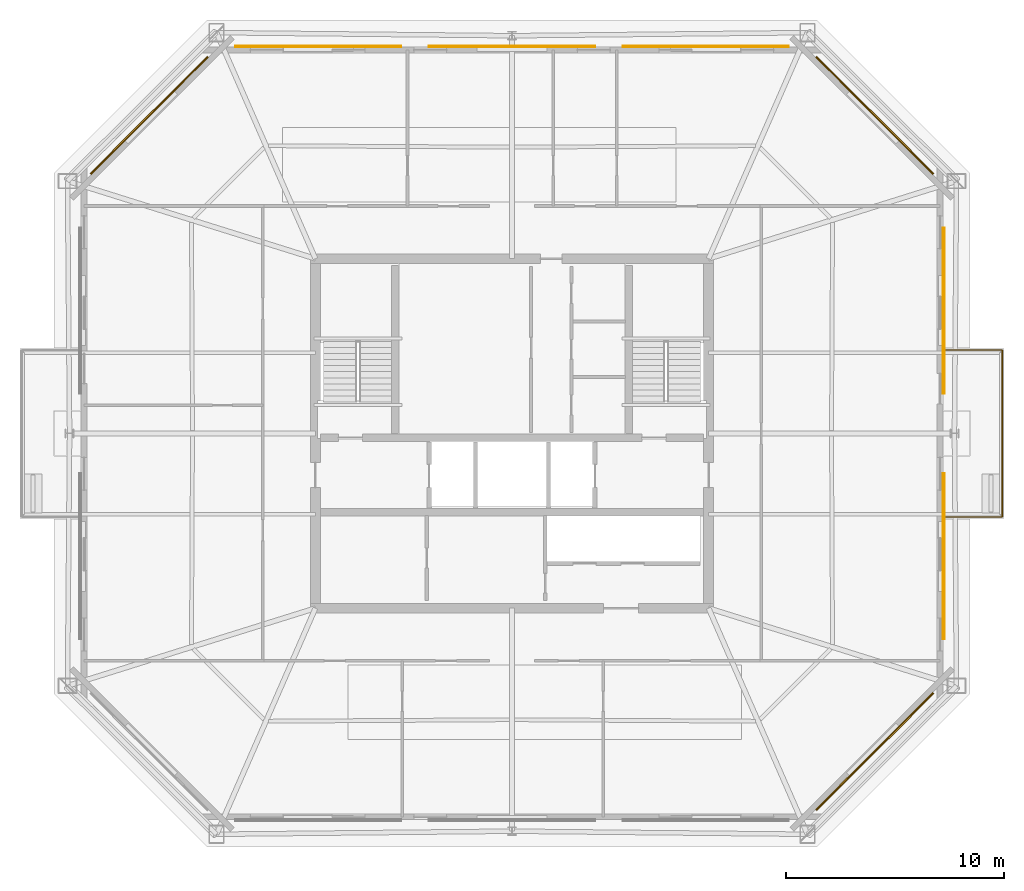
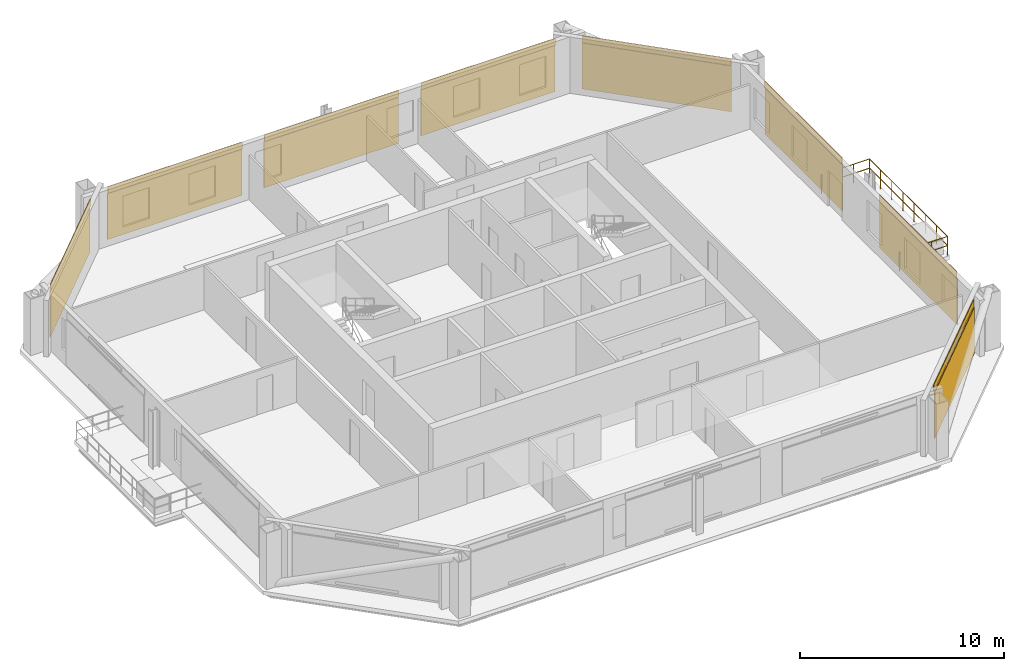
# One storey, part 7 of 7: 8 coverings, 8 shading devices, 1 railing.
"""IFC4 building model written with IfcOpenShell, lengths in metres."""

from ifc_helpers import new_model, si_unit, direction, frame, origin, origin_2d, place, context, subcontext, project, spatial, rectangle, circle, extrude, material, layer, layer_set, type_object, element, save


model = new_model("IFC4")

# Units and contexts
model_context = context("Model", 3, precision=1e-05, world=origin(), true_north=direction((0.0, 1.0)))
body_context = subcontext(model_context, "Body", "Model", "MODEL_VIEW")
ifc_project = project(units=[si_unit("LENGTHUNIT", "METRE"), si_unit("AREAUNIT", "SQUARE_METRE"), si_unit("VOLUMEUNIT", "CUBIC_METRE"), si_unit("PLANEANGLEUNIT", "RADIAN"), si_unit("MASSUNIT", "GRAM", prefix="KILO")], contexts=[model_context])

# Site, building, storey
site_placement = place(None, origin())
site = spatial("IfcSite", under=ifc_project, at=site_placement, CompositionType="ELEMENT")
building_placement = place(site_placement, origin())
building = spatial("IfcBuilding", under=site, at=building_placement, Name="Caelvoria Tower", CompositionType="ELEMENT")
storey_placement = place(building_placement, frame((0.0, 0.0, 220.199951171875)))
storey = spatial("IfcBuildingStorey", under=building, at=storey_placement, Name="L58", CompositionType="ELEMENT", Elevation=220.199951171875)

# Railing
ifc_material_1 = material(Name="Bronze Anodised Aluminium and Stainless Steel", Category="steel")
railing_type = type_object("IfcRailingType", Name="Exterior Terrace and Balcony Guardrail 1150", PredefinedType="GUARDRAIL", material=ifc_material_1)
railing_placement = place(storey_placement, frame((65.732666015625, 28.179931640625, 0.0)))
element("IfcRailing", 1, at=railing_placement, inside=storey, type_object=railing_type, Name="Tree Balcony Guardrail TB-L58-E", PredefinedType="GUARDRAIL", context=body_context, shape_type="SweptSolid", body=[
    extrude(circle(Radius=0.02392578125, at=origin_2d()), frame((0.0, 0.0, 1.1259765625), z_axis=(1.0, 0.0, 0.0), x_axis=(0.0, 1.0, 0.0)), (0.0, 0.0, 1.0), 2.7099609375),
    extrude(circle(Radius=0.02392578125, at=origin_2d()), frame((0.0, 0.0, 0.574951171875), z_axis=(1.0, 0.0, 0.0), x_axis=(0.0, 1.0, 0.0)), (0.0, 0.0, 1.0), 2.7099609375),
    extrude(circle(Radius=0.02392578125, at=origin_2d()), frame((2.7099609375, 0.0, 1.1259765625), z_axis=(0.0, 1.0, 0.0), x_axis=(-1.0, 0.0, 0.0)), (0.0, 0.0, 1.0), 7.64013671875),
    extrude(circle(Radius=0.02392578125, at=origin_2d()), frame((2.7099609375, 0.0, 0.574951171875), z_axis=(0.0, 1.0, 0.0), x_axis=(-1.0, 0.0, 0.0)), (0.0, 0.0, 1.0), 7.64013671875),
    extrude(circle(Radius=0.02392578125, at=origin_2d()), frame((2.7099609375, 7.64013671875, 1.1259765625), z_axis=(-1.0, 0.0, 0.0), x_axis=(0.0, -1.0, 0.0)), (0.0, 0.0, 1.0), 2.7099609375),
    extrude(circle(Radius=0.02392578125, at=origin_2d()), frame((2.7099609375, 7.64013671875, 0.574951171875), z_axis=(-1.0, 0.0, 0.0), x_axis=(0.0, -1.0, 0.0)), (0.0, 0.0, 1.0), 2.7099609375),
    extrude(circle(Radius=0.02099609375, at=origin_2d()), origin(), (0.0, 0.0, 1.0), 1.101806640625),
    extrude(circle(Radius=0.02099609375, at=origin_2d()), frame((0.9033203125, 0.0, 0.0)), (0.0, 0.0, 1.0), 1.101806640625),
    extrude(circle(Radius=0.02099609375, at=origin_2d()), frame((1.806640625, 0.0, 0.0)), (0.0, 0.0, 1.0), 1.101806640625),
    extrude(circle(Radius=0.02099609375, at=origin_2d()), frame((2.7099609375, 0.0, 0.0)), (0.0, 0.0, 1.0), 1.101806640625),
    extrude(circle(Radius=0.02099609375, at=origin_2d()), frame((2.7099609375, 1.091552734375, 0.0)), (0.0, 0.0, 1.0), 1.101806640625),
    extrude(circle(Radius=0.02099609375, at=origin_2d()), frame((2.7099609375, 2.182861328125, 0.0)), (0.0, 0.0, 1.0), 1.101806640625),
    extrude(circle(Radius=0.02099609375, at=origin_2d()), frame((2.7099609375, 3.2744140625, 0.0)), (0.0, 0.0, 1.0), 1.101806640625),
    extrude(circle(Radius=0.02099609375, at=origin_2d()), frame((2.7099609375, 4.36572265625, 0.0)), (0.0, 0.0, 1.0), 1.101806640625),
    extrude(circle(Radius=0.02099609375, at=origin_2d()), frame((2.7099609375, 5.457275390625, 0.0)), (0.0, 0.0, 1.0), 1.101806640625),
    extrude(circle(Radius=0.02099609375, at=origin_2d()), frame((2.7099609375, 6.548583984375, 0.0)), (0.0, 0.0, 1.0), 1.101806640625),
    extrude(circle(Radius=0.02099609375, at=origin_2d()), frame((2.7099609375, 7.64013671875, 0.0)), (0.0, 0.0, 1.0), 1.101806640625),
    extrude(circle(Radius=0.02099609375, at=origin_2d()), frame((1.806640625, 7.64013671875, 0.0)), (0.0, 0.0, 1.0), 1.101806640625),
    extrude(circle(Radius=0.02099609375, at=origin_2d()), frame((0.9033203125, 7.64013671875, 0.0)), (0.0, 0.0, 1.0), 1.101806640625),
    extrude(circle(Radius=0.02099609375, at=origin_2d()), frame((0.0, 7.64013671875, 0.0)), (0.0, 0.0, 1.0), 1.101806640625),
])

# Coverings
ifc_material_2 = material(Name="Perforated Architectural Bronze Cladding Screen", Category="bronze")
ifc_layer_1 = layer(ifc_material_2, 0.0400390625, Name="Perforated Architectural Bronze Cladding Screen")
ifc_layer_set_1 = layer_set([ifc_layer_1], Name="Perforated Bronze Louvre Cladding Band 40 - Perforated Architectural Bronze Cladding Screen")
covering_type = type_object("IfcCoveringType", Name="Perforated Bronze Louvre Cladding Band 40", PredefinedType="CLADDING", material=ifc_layer_set_1)
covering_1_placement = place(storey_placement, frame((62.590087890625, 17.455322265625, 2.955078125), z_axis=(0.0, 0.0, 1.0), x_axis=(0.707106781187, 0.707106781187, 0.0)))
element("IfcCovering", 2, at=covering_1_placement, inside=storey, type_object=covering_type, Name="Perforated Bronze Screen Band L58-E1-00", PredefinedType="CLADDING", context=body_context, shape_type="SweptSolid", body=[
    extrude(rectangle(XDim=7.572509765625, YDim=0.0400390625, at=origin_2d()), origin(), (0.0, 0.0, 1.0), 0.39990234375),
])
for number, where, z_axis, x_axis, name in (
    (3, (65.7373046875, 26.37548828125, 2.955078125), (0.0, 0.0, 1.0), (0.0, 1.0, 0.0), "Perforated Bronze Screen Band L58-E2-00"),
    (4, (65.7373046875, 37.62451171875, 2.955078125), (0.0, 0.0, 1.0), (0.0, 1.0, 0.0), "Perforated Bronze Screen Band L58-E2-01"),
):
    element("IfcCovering", number, at=place(storey_placement, frame(where, z_axis=z_axis, x_axis=x_axis)), inside=storey, type_object=covering_type, Name=name, PredefinedType="CLADDING", context=body_context, shape_type="SweptSolid", body=[
        extrude(rectangle(XDim=7.60009765625, YDim=0.0400390625, at=origin_2d()), origin(), (0.0, 0.0, 1.0), 0.39990234375),
    ])
covering_2_placement = place(storey_placement, frame((62.590087890625, 46.544677734375, 2.955078125), z_axis=(0.0, 0.0, 1.0), x_axis=(-0.707106781187, 0.707106781187, 0.0)))
element("IfcCovering", 5, at=covering_2_placement, inside=storey, type_object=covering_type, Name="Perforated Bronze Screen Band L58-E3-00", PredefinedType="CLADDING", context=body_context, shape_type="SweptSolid", body=[
    extrude(rectangle(XDim=7.572509765625, YDim=0.0400390625, at=origin_2d()), origin(), (0.0, 0.0, 1.0), 0.39990234375),
])
for number, where, z_axis, x_axis, name in (
    (6, (54.863037109375, 49.69189453125, 2.955078125), (0.0, 0.0, 1.0), (-1.0, 0.0, 0.0), "Perforated Bronze Screen Band L58-E4-00"),
    (7, (46.0, 49.69189453125, 2.955078125), (0.0, 0.0, 1.0), (-1.0, 0.0, 0.0), "Perforated Bronze Screen Band L58-E4-01"),
    (8, (37.136962890625, 49.69189453125, 2.955078125), (0.0, 0.0, 1.0), (-1.0, 0.0, 0.0), "Perforated Bronze Screen Band L58-E4-02"),
):
    element("IfcCovering", number, at=place(storey_placement, frame(where, z_axis=z_axis, x_axis=x_axis)), inside=storey, type_object=covering_type, Name=name, PredefinedType="CLADDING", context=body_context, shape_type="SweptSolid", body=[
        extrude(rectangle(XDim=7.60009765625, YDim=0.0400390625, at=origin_2d()), origin(), (0.0, 0.0, 1.0), 0.39990234375),
    ])
covering_3_placement = place(storey_placement, frame((29.409912109375, 46.544677734375, 2.955078125), z_axis=(0.0, 0.0, 1.0), x_axis=(-0.707106781187, -0.707106781187, 0.0)))
element("IfcCovering", 9, at=covering_3_placement, inside=storey, type_object=covering_type, Name="Perforated Bronze Screen Band L58-E5-00", PredefinedType="CLADDING", context=body_context, shape_type="SweptSolid", body=[
    extrude(rectangle(XDim=7.572509765625, YDim=0.0400390625, at=origin_2d()), origin(), (0.0, 0.0, 1.0), 0.39990234375),
])

# Shading devices
ifc_material_3 = material(Name="Perforated Architectural Bronze Alloy Panel", Category="bronze")
ifc_layer_2 = layer(ifc_material_3, 0.044921875, Name="Perforated Architectural Bronze Alloy Panel")
ifc_layer_set_2 = layer_set([ifc_layer_2], Name="Perforated Bronze Solar Screen Panel SCREEN - Perforated Architectural Bronze Alloy Panel")
shading_device_type = type_object("IfcShadingDeviceType", Name="Perforated Bronze Solar Screen Panel SCREEN", PredefinedType="USERDEFINED", material=ifc_layer_set_2)
shading_device_1_placement = place(storey_placement, frame((62.620361328125, 17.425048828125, 0.16015625), z_axis=(0.0, 0.0, 1.0), x_axis=(0.707106781187, 0.707106781187, 0.0)))
element("IfcShadingDevice", 10, at=shading_device_1_placement, inside=storey, type_object=shading_device_type, Name="Perforated Bronze Solar Screen L58-E1-00", ObjectType="SCREEN", PredefinedType="USERDEFINED", context=body_context, shape_type="SweptSolid", body=[
    extrude(rectangle(XDim=7.572509765625, YDim=0.044921875, at=origin_2d()), origin(), (0.0, 0.0, 1.0), 2.75),
])
for number, where, z_axis, x_axis, name in (
    (11, (65.7802734375, 26.37548828125, 0.16015625), (0.0, 0.0, 1.0), (0.0, 1.0, 0.0), "Perforated Bronze Solar Screen L58-E2-00"),
    (12, (65.7802734375, 37.62451171875, 0.16015625), (0.0, 0.0, 1.0), (0.0, 1.0, 0.0), "Perforated Bronze Solar Screen L58-E2-01"),
):
    element("IfcShadingDevice", number, at=place(storey_placement, frame(where, z_axis=z_axis, x_axis=x_axis)), inside=storey, type_object=shading_device_type, Name=name, ObjectType="SCREEN", PredefinedType="USERDEFINED", context=body_context, shape_type="SweptSolid", body=[
        extrude(rectangle(XDim=7.60009765625, YDim=0.044921875, at=origin_2d()), origin(), (0.0, 0.0, 1.0), 2.75),
    ])
shading_device_2_placement = place(storey_placement, frame((62.620361328125, 46.574951171875, 0.16015625), z_axis=(0.0, 0.0, 1.0), x_axis=(-0.707106781187, 0.707106781187, 0.0)))
element("IfcShadingDevice", 13, at=shading_device_2_placement, inside=storey, type_object=shading_device_type, Name="Perforated Bronze Solar Screen L58-E3-00", ObjectType="SCREEN", PredefinedType="USERDEFINED", context=body_context, shape_type="SweptSolid", body=[
    extrude(rectangle(XDim=7.572509765625, YDim=0.044921875, at=origin_2d()), origin(), (0.0, 0.0, 1.0), 2.75),
])
for number, where, z_axis, x_axis, name in (
    (14, (54.863037109375, 49.73486328125, 0.16015625), (0.0, 0.0, 1.0), (-1.0, 0.0, 0.0), "Perforated Bronze Solar Screen L58-E4-00"),
    (15, (46.0, 49.73486328125, 0.16015625), (0.0, 0.0, 1.0), (-1.0, 0.0, 0.0), "Perforated Bronze Solar Screen L58-E4-01"),
    (16, (37.136962890625, 49.73486328125, 0.16015625), (0.0, 0.0, 1.0), (-1.0, 0.0, 0.0), "Perforated Bronze Solar Screen L58-E4-02"),
):
    element("IfcShadingDevice", number, at=place(storey_placement, frame(where, z_axis=z_axis, x_axis=x_axis)), inside=storey, type_object=shading_device_type, Name=name, ObjectType="SCREEN", PredefinedType="USERDEFINED", context=body_context, shape_type="SweptSolid", body=[
        extrude(rectangle(XDim=7.60009765625, YDim=0.044921875, at=origin_2d()), origin(), (0.0, 0.0, 1.0), 2.75),
    ])
shading_device_3_placement = place(storey_placement, frame((29.379638671875, 46.574951171875, 0.16015625), z_axis=(0.0, 0.0, 1.0), x_axis=(-0.707106781187, -0.707106781187, 0.0)))
element("IfcShadingDevice", 17, at=shading_device_3_placement, inside=storey, type_object=shading_device_type, Name="Perforated Bronze Solar Screen L58-E5-00", ObjectType="SCREEN", PredefinedType="USERDEFINED", context=body_context, shape_type="SweptSolid", body=[
    extrude(rectangle(XDim=7.572509765625, YDim=0.044921875, at=origin_2d()), origin(), (0.0, 0.0, 1.0), 2.75),
])

save(model, "model.ifc")
